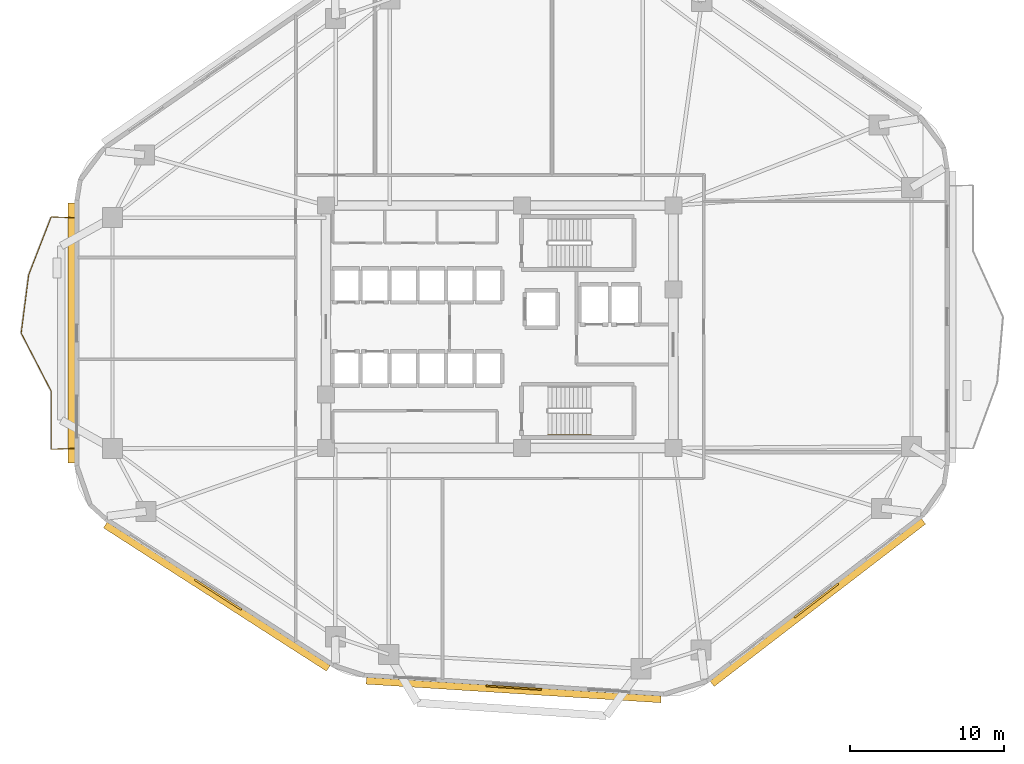
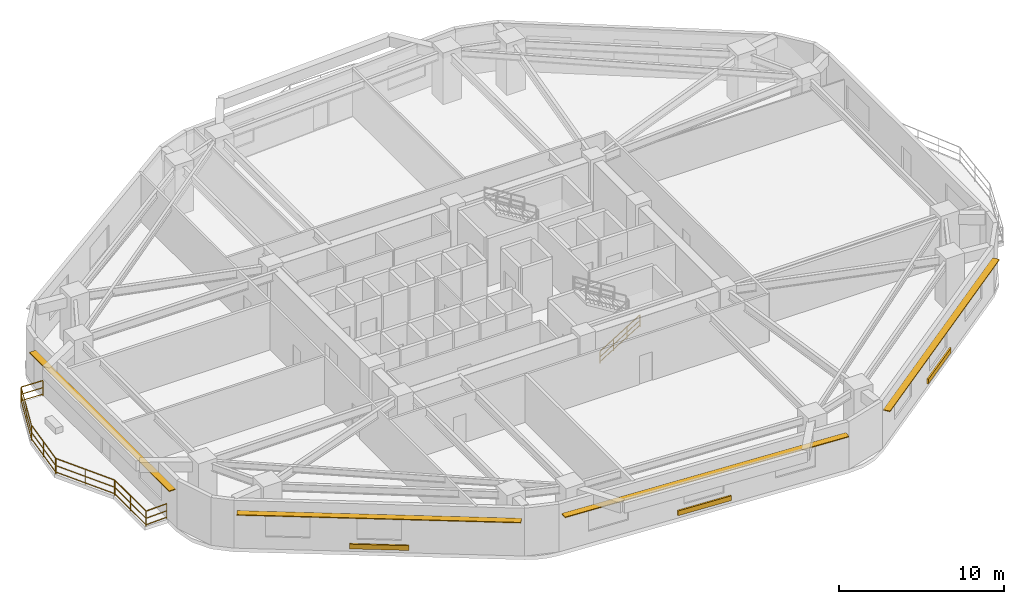
# One storey, part 7 of 9: 7 railings, 7 shading devices.
"""IFC4 building model written with IfcOpenShell, lengths in metres."""

from ifc_helpers import new_model, si_unit, direction, frame, origin, origin_2d, place, context, subcontext, project, spatial, rectangle, extrude, material, layer, layer_set, type_object, element, save


model = new_model("IFC4")

# Units and contexts
model_context = context("Model", 3, precision=1e-05, world=origin(), true_north=direction((0.0, 1.0)))
body_context = subcontext(model_context, "Body", "Model", "MODEL_VIEW")
ifc_project = project(units=[si_unit("LENGTHUNIT", "METRE"), si_unit("AREAUNIT", "SQUARE_METRE"), si_unit("VOLUMEUNIT", "CUBIC_METRE"), si_unit("PLANEANGLEUNIT", "RADIAN"), si_unit("MASSUNIT", "GRAM", prefix="KILO")], contexts=[model_context])

# Site, building, storey
site_placement = place(None, origin())
site = spatial("IfcSite", under=ifc_project, at=site_placement, CompositionType="ELEMENT")
building_placement = place(site_placement, origin())
building = spatial("IfcBuilding", under=site, at=building_placement, Name="Zulverin Broadcast Headquarters", CompositionType="ELEMENT")
storey_placement = place(building_placement, frame((0.0, 0.0, 82.0)))
storey = spatial("IfcBuildingStorey", under=building, at=storey_placement, Name="L20", CompositionType="ELEMENT", Elevation=82.0)

# Railings
ifc_material_1 = material(Name="Brushed stainless steel & laminated glass balustrade", Category="steel")
railing_type_1 = type_object("IfcRailingType", Name="RL-GUARD-1150", PredefinedType="GUARDRAIL", material=ifc_material_1)
railing_1_placement = place(storey_placement, frame((9.360107421875, 32.284423828125, 0.0)))
element("IfcRailing", 1, at=railing_1_placement, inside=storey, type_object=railing_type_1, Name="L20 Vertical-Forest Balcony Guardrail BAL_W Segment 01", PredefinedType="GUARDRAIL", context=body_context, shape_type="SweptSolid", body=[
    extrude(rectangle(XDim=0.048095703125, YDim=0.048095703125, at=origin_2d()), frame((0.0, 0.0, 1.1259765625), z_axis=(-0.999181155166, 0.040460093435, 0.0), x_axis=(-0.040460093435, -0.999181155166, 0.0)), (0.0, 0.0, 1.0), 1.46630859375),
    extrude(rectangle(XDim=0.0419921875, YDim=0.0419921875, at=origin_2d()), frame((0.0, 0.0, 0.597900390625), z_axis=(-0.999181155166, 0.040460093435, 0.0), x_axis=(-0.040460093435, -0.999181155166, 0.0)), (0.0, 0.0, 1.0), 1.46630859375),
    extrude(rectangle(XDim=0.0419921875, YDim=0.0419921875, at=origin_2d()), frame((0.0, 0.0, 0.1201171875), z_axis=(-0.999181155166, 0.040460093435, 0.0), x_axis=(-0.040460093435, -0.999181155166, 0.0)), (0.0, 0.0, 1.0), 1.46630859375),
    extrude(rectangle(XDim=0.0419921875, YDim=0.0419921875, at=origin_2d()), origin(), (0.0, 0.0, 1.0), 1.101806640625),
    extrude(rectangle(XDim=0.0419921875, YDim=0.0419921875, at=origin_2d()), frame((-1.465087890625, 0.059326171875, 0.0)), (0.0, 0.0, 1.0), 1.101806640625),
])
railing_2_placement = place(storey_placement, frame((7.87451171875, 32.330322265625, 0.0)))
element("IfcRailing", 2, at=railing_2_placement, inside=storey, type_object=railing_type_1, Name="L20 Vertical-Forest Balcony Guardrail BAL_W Segment 02", PredefinedType="GUARDRAIL", context=body_context, shape_type="SweptSolid", body=[
    extrude(rectangle(XDim=0.048095703125, YDim=0.048095703125, at=origin_2d()), frame((0.0, 0.0, 1.1259765625), z_axis=(-0.361936205259, -0.93220286597, 0.0), x_axis=(0.93220286597, -0.361936205259, 0.0)), (0.0, 0.0, 1.0), 4.01953125),
    extrude(rectangle(XDim=0.0419921875, YDim=0.0419921875, at=origin_2d()), frame((0.0, 0.0, 0.597900390625), z_axis=(-0.361936205259, -0.93220286597, 0.0), x_axis=(0.93220286597, -0.361936205259, 0.0)), (0.0, 0.0, 1.0), 4.01953125),
    extrude(rectangle(XDim=0.0419921875, YDim=0.0419921875, at=origin_2d()), frame((0.0, 0.0, 0.1201171875), z_axis=(-0.361936205259, -0.93220286597, 0.0), x_axis=(0.93220286597, -0.361936205259, 0.0)), (0.0, 0.0, 1.0), 4.01953125),
    extrude(rectangle(XDim=0.0419921875, YDim=0.0419921875, at=origin_2d()), origin(), (0.0, 0.0, 1.0), 1.101806640625),
    extrude(rectangle(XDim=0.0419921875, YDim=0.0419921875, at=origin_2d()), frame((-0.7275390625, -1.87353515625, 0.0)), (0.0, 0.0, 1.0), 1.101806640625),
    extrude(rectangle(XDim=0.0419921875, YDim=0.0419921875, at=origin_2d()), frame((-1.454833984375, -3.7470703125, 0.0)), (0.0, 0.0, 1.0), 1.101806640625),
])
railing_3_placement = place(storey_placement, frame((6.412353515625, 28.55419921875, 0.0)))
element("IfcRailing", 3, at=railing_3_placement, inside=storey, type_object=railing_type_1, Name="L20 Vertical-Forest Balcony Guardrail BAL_W Segment 03", PredefinedType="GUARDRAIL", context=body_context, shape_type="SweptSolid", body=[
    extrude(rectangle(XDim=0.048095703125, YDim=0.048095703125, at=origin_2d()), frame((0.0, 0.0, 1.1259765625), z_axis=(-0.127240973143, -0.991871833834, 0.0), x_axis=(0.991871833834, -0.127240973143, 0.0)), (0.0, 0.0, 1.0), 3.776123046875),
    extrude(rectangle(XDim=0.0419921875, YDim=0.0419921875, at=origin_2d()), frame((0.0, 0.0, 0.597900390625), z_axis=(-0.127240973143, -0.991871833834, 0.0), x_axis=(0.991871833834, -0.127240973143, 0.0)), (0.0, 0.0, 1.0), 3.776123046875),
    extrude(rectangle(XDim=0.0419921875, YDim=0.0419921875, at=origin_2d()), frame((0.0, 0.0, 0.1201171875), z_axis=(-0.127240973143, -0.991871833834, 0.0), x_axis=(0.991871833834, -0.127240973143, 0.0)), (0.0, 0.0, 1.0), 3.776123046875),
    extrude(rectangle(XDim=0.0419921875, YDim=0.0419921875, at=origin_2d()), origin(), (0.0, 0.0, 1.0), 1.101806640625),
    extrude(rectangle(XDim=0.0419921875, YDim=0.0419921875, at=origin_2d()), frame((-0.240234375, -1.87255859375, 0.0)), (0.0, 0.0, 1.0), 1.101806640625),
    extrude(rectangle(XDim=0.0419921875, YDim=0.0419921875, at=origin_2d()), frame((-0.48046875, -3.745361328125, 0.0)), (0.0, 0.0, 1.0), 1.101806640625),
])
railing_4_placement = place(storey_placement, frame((5.93701171875, 24.78076171875, 0.0)))
element("IfcRailing", 4, at=railing_4_placement, inside=storey, type_object=railing_type_1, Name="L20 Vertical-Forest Balcony Guardrail BAL_W Segment 04", PredefinedType="GUARDRAIL", context=body_context, shape_type="SweptSolid", body=[
    extrude(rectangle(XDim=0.048095703125, YDim=0.048095703125, at=origin_2d()), frame((0.0, 0.0, 1.1259765625), z_axis=(0.458863997648, -0.888506517513, 0.0), x_axis=(0.888506517513, 0.458863997648, 0.0)), (0.0, 0.0, 1.0), 4.21923828125),
    extrude(rectangle(XDim=0.0419921875, YDim=0.0419921875, at=origin_2d()), frame((0.0, 0.0, 0.597900390625), z_axis=(0.458863997648, -0.888506517513, 0.0), x_axis=(0.888506517513, 0.458863997648, 0.0)), (0.0, 0.0, 1.0), 4.21923828125),
    extrude(rectangle(XDim=0.0419921875, YDim=0.0419921875, at=origin_2d()), frame((0.0, 0.0, 0.1201171875), z_axis=(0.458863997648, -0.888506517513, 0.0), x_axis=(0.888506517513, 0.458863997648, 0.0)), (0.0, 0.0, 1.0), 4.21923828125),
    extrude(rectangle(XDim=0.0419921875, YDim=0.0419921875, at=origin_2d()), origin(), (0.0, 0.0, 1.0), 1.101806640625),
    extrude(rectangle(XDim=0.0419921875, YDim=0.0419921875, at=origin_2d()), frame((0.968017578125, -1.87451171875, 0.0)), (0.0, 0.0, 1.0), 1.101806640625),
    extrude(rectangle(XDim=0.0419921875, YDim=0.0419921875, at=origin_2d()), frame((1.93603515625, -3.748779296875, 0.0)), (0.0, 0.0, 1.0), 1.101806640625),
])
railing_5_placement = place(storey_placement, frame((7.8798828125, 21.00390625, 0.0)))
element("IfcRailing", 5, at=railing_5_placement, inside=storey, type_object=railing_type_1, Name="L20 Vertical-Forest Balcony Guardrail BAL_W Segment 05", PredefinedType="GUARDRAIL", context=body_context, shape_type="SweptSolid", body=[
    extrude(rectangle(XDim=0.048095703125, YDim=0.048095703125, at=origin_2d()), frame((0.0, 0.0, 1.1259765625), z_axis=(0.0, -1.0, 0.0), x_axis=(1.0, 0.0, 0.0)), (0.0, 0.0, 1.0), 3.745361328125),
    extrude(rectangle(XDim=0.0419921875, YDim=0.0419921875, at=origin_2d()), frame((0.0, 0.0, 0.597900390625), z_axis=(0.0, -1.0, 0.0), x_axis=(1.0, 0.0, 0.0)), (0.0, 0.0, 1.0), 3.745361328125),
    extrude(rectangle(XDim=0.0419921875, YDim=0.0419921875, at=origin_2d()), frame((0.0, 0.0, 0.1201171875), z_axis=(0.0, -1.0, 0.0), x_axis=(1.0, 0.0, 0.0)), (0.0, 0.0, 1.0), 3.745361328125),
    extrude(rectangle(XDim=0.0419921875, YDim=0.0419921875, at=origin_2d()), origin(), (0.0, 0.0, 1.0), 1.101806640625),
    extrude(rectangle(XDim=0.0419921875, YDim=0.0419921875, at=origin_2d()), frame((0.0, -1.87255859375, 0.0)), (0.0, 0.0, 1.0), 1.101806640625),
    extrude(rectangle(XDim=0.0419921875, YDim=0.0419921875, at=origin_2d()), frame((0.0, -3.745361328125, 0.0)), (0.0, 0.0, 1.0), 1.101806640625),
])
railing_6_placement = place(storey_placement, frame((7.89501953125, 17.244140625, 0.0)))
element("IfcRailing", 6, at=railing_6_placement, inside=storey, type_object=railing_type_1, Name="L20 Vertical-Forest Balcony Guardrail BAL_W Segment 06", PredefinedType="GUARDRAIL", context=body_context, shape_type="SweptSolid", body=[
    extrude(rectangle(XDim=0.048095703125, YDim=0.048095703125, at=origin_2d()), frame((0.0, 0.0, 1.1259765625), z_axis=(0.999174410196, 0.040626321628, 0.0), x_axis=(-0.040626321628, 0.999174410196, 0.0)), (0.0, 0.0, 1.0), 1.46630859375),
    extrude(rectangle(XDim=0.0419921875, YDim=0.0419921875, at=origin_2d()), frame((0.0, 0.0, 0.597900390625), z_axis=(0.999174410196, 0.040626321628, 0.0), x_axis=(-0.040626321628, 0.999174410196, 0.0)), (0.0, 0.0, 1.0), 1.46630859375),
    extrude(rectangle(XDim=0.0419921875, YDim=0.0419921875, at=origin_2d()), frame((0.0, 0.0, 0.1201171875), z_axis=(0.999174410196, 0.040626321628, 0.0), x_axis=(-0.040626321628, 0.999174410196, 0.0)), (0.0, 0.0, 1.0), 1.46630859375),
    extrude(rectangle(XDim=0.0419921875, YDim=0.0419921875, at=origin_2d()), origin(), (0.0, 0.0, 1.0), 1.101806640625),
    extrude(rectangle(XDim=0.0419921875, YDim=0.0419921875, at=origin_2d()), frame((1.465087890625, 0.0595703125, 0.0)), (0.0, 0.0, 1.0), 1.101806640625),
])
ifc_material_2 = material(Name="Brushed stainless steel 48 mm handrail", Category="steel")
railing_type_2 = type_object("IfcRailingType", Name="RL-ST-HAND", PredefinedType="HANDRAIL", material=ifc_material_2)
railing_7_placement = place(storey_placement, frame((40.1298828125, 18.199951171875, 0.172607421875)))
element("IfcRailing", 7, at=railing_7_placement, inside=storey, type_object=railing_type_2, Name="L20 ST-2 stair handrail 1", PredefinedType="HANDRAIL", context=body_context, shape_type="SweptSolid", body=[
    extrude(rectangle(XDim=0.048095703125, YDim=0.048095703125, at=origin_2d()), frame((0.0, 0.0, 0.8759765625), z_axis=(0.851089632645, 0.0, 0.525020415988), x_axis=(0.0, 1.0, 0.0)), (0.0, 0.0, 1.0), 3.2900390625),
    extrude(rectangle(XDim=0.0419921875, YDim=0.0419921875, at=origin_2d()), frame((0.0, 0.0, 0.468017578125), z_axis=(0.851089632645, 0.0, 0.525020415988), x_axis=(0.0, 1.0, 0.0)), (0.0, 0.0, 1.0), 3.2900390625),
    extrude(rectangle(XDim=0.0419921875, YDim=0.0419921875, at=origin_2d()), frame((0.0, 0.0, 0.1201171875), z_axis=(0.851089632645, 0.0, 0.525020415988), x_axis=(0.0, 1.0, 0.0)), (0.0, 0.0, 1.0), 3.2900390625),
    extrude(rectangle(XDim=0.0419921875, YDim=0.0419921875, at=origin_2d()), origin(), (0.0, 0.0, 1.0), 0.851806640625),
    extrude(rectangle(XDim=0.0419921875, YDim=0.0419921875, at=origin_2d()), frame((0.933349609375, 0.0, 0.57568359375)), (0.0, 0.0, 1.0), 0.851806640625),
    extrude(rectangle(XDim=0.0419921875, YDim=0.0419921875, at=origin_2d()), frame((1.86669921875, 0.0, 1.151611328125)), (0.0, 0.0, 1.0), 0.851806640625),
    extrude(rectangle(XDim=0.0419921875, YDim=0.0419921875, at=origin_2d()), frame((2.800048828125, 0.0, 1.727294921875)), (0.0, 0.0, 1.0), 0.851806640625),
])

# Shading devices
ifc_material_3 = material(Name="Anodized pale-metal aluminium acoustic louvre", Category="aluminium")
shading_device_type_1 = type_object("IfcShadingDeviceType", Name="SHD-LOUVRE-350", PredefinedType="USERDEFINED", material=ifc_material_3)
for number, where, z_axis, x_axis, name in (
    (8, (37.9189453125, 1.775390625, 0.244873046875), (0.0, 0.0, 1.0), (0.998017182581, -0.062942062821, 0.0), "L20 Spandrel Intake Louvre 1"),
    (9, (57.56103515625, 7.425048828125, 0.244873046875), (0.0, 0.0, 1.0), (0.792933468586, 0.609308226102, 0.0), "L20 Spandrel Intake Louvre 2"),
    (10, (18.71630859375, 7.816162109375, 0.244873046875), (0.0, 0.0, 1.0), (0.841296678234, -0.540573676007, 0.0), "L20 Spandrel Intake Louvre 8"),
):
    element("IfcShadingDevice", number, at=place(storey_placement, frame(where, z_axis=z_axis, x_axis=x_axis)), inside=storey, type_object=shading_device_type_1, Name=name, ObjectType="LOUVRE", PredefinedType="USERDEFINED", context=body_context, shape_type="SweptSolid", body=[
        extrude(rectangle(XDim=3.60009765625, YDim=0.1201171875, at=origin_2d()), origin(), (0.0, 0.0, 1.0), 0.35009765625),
    ])
ifc_material_4 = material(Name="Anodized pale-metal aluminium sunshade", Category="aluminium")
ifc_layer = layer(ifc_material_4, 0.06005859375, Name="Anodized pale-metal aluminium sunshade", Category="aluminium")
ifc_layer_set = layer_set([ifc_layer], Name="Anodized pale-metal aluminium sunshade")
shading_device_type_2 = type_object("IfcShadingDeviceType", Name="SS-01_PALE_METAL_ALUMINIUM_SUNSHADE", PredefinedType="USERDEFINED", material=ifc_layer_set)
shading_device_1_placement = place(storey_placement, frame((37.908935546875, 1.61572265625, 2.7099609375), z_axis=(0.0, 0.0, 1.0), x_axis=(0.998017182581, -0.062942062821, 0.0)))
element("IfcShadingDevice", 11, at=shading_device_1_placement, inside=storey, type_object=shading_device_type_2, Name="L20 Horizontal Pale-Metal Sunshade Band 1", ObjectType="SUNSHADE", PredefinedType="USERDEFINED", context=body_context, shape_type="SweptSolid", body=[
    extrude(rectangle(XDim=19.177001953125, YDim=0.449951171875, at=origin_2d()), origin(), (0.0, 0.0, 1.0), 0.06005859375),
])
shading_device_2_placement = place(storey_placement, frame((57.658447265625, 7.29833984375, 2.7099609375), z_axis=(0.0, 0.0, 1.0), x_axis=(0.792933468586, 0.609308226102, 0.0)))
element("IfcShadingDevice", 12, at=shading_device_2_placement, inside=storey, type_object=shading_device_type_2, Name="L20 Horizontal Pale-Metal Sunshade Band 2", ObjectType="SUNSHADE", PredefinedType="USERDEFINED", context=body_context, shape_type="SweptSolid", body=[
    extrude(rectangle(XDim=17.312744140625, YDim=0.449951171875, at=origin_2d()), origin(), (0.0, 0.0, 1.0), 0.06005859375),
])
shading_device_3_placement = place(storey_placement, frame((9.199951171875, 24.7939453125, 2.7099609375), z_axis=(0.0, 0.0, 1.0), x_axis=(0.0, -1.0, 0.0)))
element("IfcShadingDevice", 13, at=shading_device_3_placement, inside=storey, type_object=shading_device_type_2, Name="L20 Horizontal Pale-Metal Sunshade Band 7", ObjectType="SUNSHADE", PredefinedType="USERDEFINED", context=body_context, shape_type="SweptSolid", body=[
    extrude(rectangle(XDim=16.90087890625, YDim=0.449951171875, at=origin_2d()), origin(), (0.0, 0.0, 1.0), 0.06005859375),
])
shading_device_4_placement = place(storey_placement, frame((18.6298828125, 7.681640625, 2.7099609375), z_axis=(0.0, 0.0, 1.0), x_axis=(0.841296678234, -0.540573676007, 0.0)))
element("IfcShadingDevice", 14, at=shading_device_4_placement, inside=storey, type_object=shading_device_type_2, Name="L20 Horizontal Pale-Metal Sunshade Band 8", ObjectType="SUNSHADE", PredefinedType="USERDEFINED", context=body_context, shape_type="SweptSolid", body=[
    extrude(rectangle(XDim=17.2119140625, YDim=0.449951171875, at=origin_2d()), origin(), (0.0, 0.0, 1.0), 0.06005859375),
])

save(model, "model.ifc")
